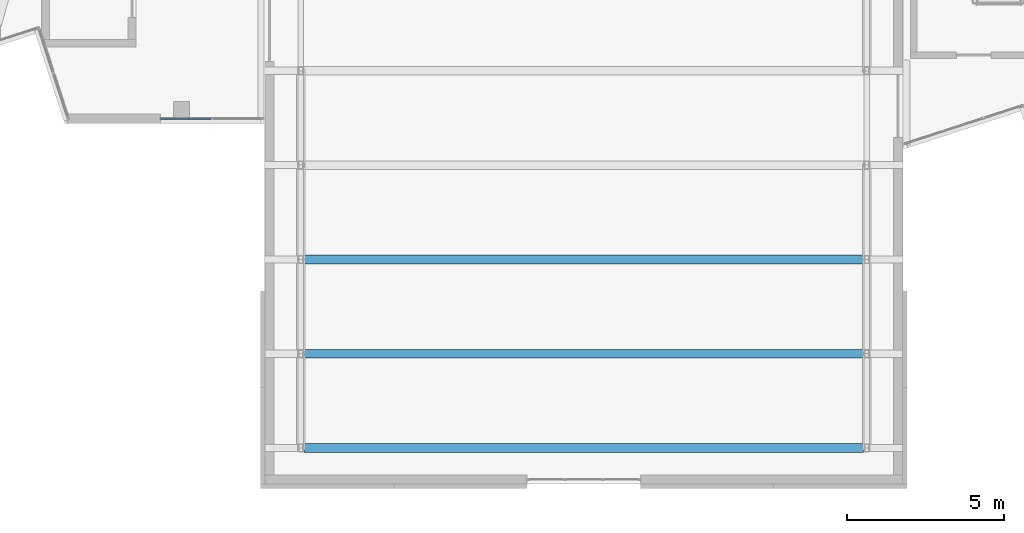
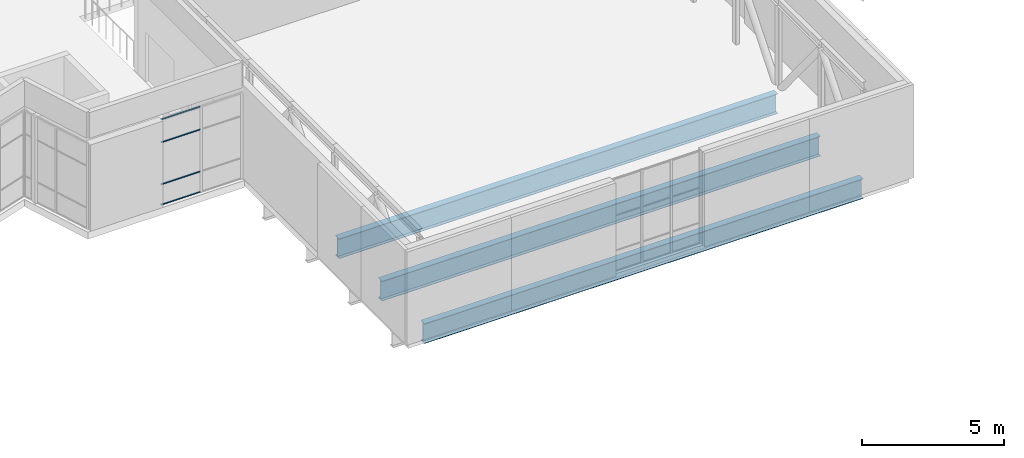
# One storey, part 11 of 72: 4 members, 3 beams, 1 element without a shape of its own.
"""IFC4 building model written with IfcOpenShell, lengths in metres."""

import ifcopenshell
import ifcopenshell.guid

model = None  # the IFC model being written
_history = None  # IfcOwnerHistory: only IFC2X3 demands one
_inside = {}  # id of a spatial element -> (the spatial element, [elements in it])
_under = {}  # id of a project, library or spatial element -> (it, [spatial elements below it])
_declared = {}  # id of a project -> (the project, [libraries it declares])
_typed = {}  # id of a type object -> (the type object, [elements of that type])
_made_of = {}  # id of a material, layer set ... -> (it, [elements and type objects made of it])


def new_model(schema):
    """Start an empty IFC model of exactly this schema.

    Asked for "IFC4X3", IfcOpenShell would pick the latest addendum, in which some entities
    have other attributes; the version numbers below select the first issue.
    IFC2X3 requires an IfcOwnerHistory on every rooted entity: one is made here for all.
    """
    global model, _history
    if schema == "IFC4X3":
        model = ifcopenshell.file(schema_version=(4, 3, 0, 0))
    else:
        model = ifcopenshell.file(schema=schema)
    _inside.clear()
    _under.clear()
    _declared.clear()
    _typed.clear()
    _made_of.clear()
    _history = None
    if model.schema == "IFC2X3":
        org = make("IfcOrganization", Name="unknown")
        user = make(
            "IfcPersonAndOrganization",
            ThePerson=make("IfcPerson", FamilyName="unknown"),
            TheOrganization=org,
        )
        app = make(
            "IfcApplication",
            ApplicationDeveloper=org,
            Version="unknown",
            ApplicationFullName="unknown",
            ApplicationIdentifier="unknown",
        )
        _history = make(
            "IfcOwnerHistory",
            OwningUser=user,
            OwningApplication=app,
            ChangeAction="ADDED",
            CreationDate=0,
        )
    return model


def make(cls, **values):
    """One entity of the class cls with the attributes given. An attribute that is None is left unset."""
    return model.create_entity(
        cls, **{name: value for name, value in values.items() if value is not None}
    )


def rooted(cls, **values):
    """An entity with a GlobalId (a new one), such as an element, a storey or a relation."""
    return make(cls, GlobalId=ifcopenshell.guid.new(), OwnerHistory=_history, **values)


def si_unit(unit_type, name, prefix=None):
    """IfcSIUnit, for example si_unit("LENGTHUNIT", "METRE", prefix="MILLI")."""
    return make("IfcSIUnit", UnitType=unit_type, Prefix=prefix, Name=name)


def assignment(units):
    """IfcUnitAssignment: the units of a project."""
    return None if units is None else make("IfcUnitAssignment", Units=units)


def point(xyz):
    """IfcCartesianPoint."""
    return None if xyz is None else make("IfcCartesianPoint", Coordinates=xyz)


def direction(xyz):
    """IfcDirection."""
    return None if xyz is None else make("IfcDirection", DirectionRatios=xyz)


def frame(location, z_axis=None, x_axis=None):
    """IfcAxis2Placement3D, a coordinate frame: its origin and axes. An axis left out is left unset."""
    return make(
        "IfcAxis2Placement3D",
        Location=point(location),
        Axis=direction(z_axis),
        RefDirection=direction(x_axis),
    )


def frame_2d(location, x_axis=None):
    """IfcAxis2Placement2D, a coordinate frame in the plane: its origin and x axis."""
    return make(
        "IfcAxis2Placement2D", Location=point(location), RefDirection=direction(x_axis)
    )


def origin():
    """The frame at (0, 0, 0) with its axes left unset."""
    return frame((0.0, 0.0, 0.0))


def origin_2d():
    """The frame at (0, 0) in the plane with its x axis left unset."""
    return frame_2d((0.0, 0.0))


def place(relative_to, where):
    """IfcLocalPlacement: puts the frame where relative to a parent placement (None: the world)."""
    return make(
        "IfcLocalPlacement", PlacementRelTo=relative_to, RelativePlacement=where
    )


def context(
    kind, dimensions, precision=None, world=None, true_north=None, identifier=None
):
    """IfcGeometricRepresentationContext, for example the 3D "Model" context."""
    return make(
        "IfcGeometricRepresentationContext",
        ContextIdentifier=identifier,
        ContextType=kind,
        CoordinateSpaceDimension=dimensions,
        Precision=precision,
        WorldCoordinateSystem=world,
        TrueNorth=true_north,
    )


def subcontext(parent, identifier, kind, view, scale=None):
    """IfcGeometricRepresentationSubContext, for example "Body" below "Model"."""
    return make(
        "IfcGeometricRepresentationSubContext",
        ContextIdentifier=identifier,
        ContextType=kind,
        ParentContext=parent,
        TargetScale=scale,
        TargetView=view,
    )


def project(units=None, contexts=None):
    """IfcProject with its units and contexts."""
    return rooted(
        "IfcProject",
        Name="project",
        RepresentationContexts=contexts,
        UnitsInContext=assignment(units),
    )


def spatial(cls, under=None, at=None, **own):
    """A site, building, storey or space (cls), placed at a placement, below another one or the project."""
    s = rooted(cls, ObjectPlacement=at, **own)
    if under is not None:
        _under.setdefault(under.id(), (under, []))[1].append(s)
    return s


def profile(cls, at=None, kind="AREA", **sizes):
    """A parametric profile (cls). Its sizes go by their IFC names, for example OverallWidth=200.0."""
    return make(cls, ProfileType=kind, Position=at, **sizes)


def hollow_rectangle(**sizes):
    """IfcRectangleHollowProfileDef."""
    return profile("IfcRectangleHollowProfileDef", **sizes)


def i_section(**sizes):
    """IfcIShapeProfileDef."""
    return profile("IfcIShapeProfileDef", **sizes)


def extrude(swept, where, along, depth):
    """IfcExtrudedAreaSolid: the profile swept, set in the frame where, extruded along a direction by depth."""
    return make(
        "IfcExtrudedAreaSolid",
        SweptArea=swept,
        Position=where,
        ExtrudedDirection=direction(along),
        Depth=depth,
    )


def shape(context_of_items, identifier, shape_type, items):
    """IfcShapeRepresentation: the items that make up one representation, for example the "Body"."""
    return make(
        "IfcShapeRepresentation",
        ContextOfItems=context_of_items,
        RepresentationIdentifier=identifier,
        RepresentationType=shape_type,
        Items=items,
    )


def material(Name=None, Category=None):
    """IfcMaterial."""
    return make("IfcMaterial", Name=Name, Category=Category)


def layer(
    of_material, thickness, ventilated=None, Name=None, Category=None, Priority=None
):
    """IfcMaterialLayer: one layer of a wall or slab, of a material (None: an air gap)."""
    return make(
        "IfcMaterialLayer",
        Material=of_material,
        LayerThickness=thickness,
        IsVentilated=ventilated,
        Name=Name,
        Category=Category,
        Priority=Priority,
    )


def layer_set(layers, Name=None):
    """IfcMaterialLayerSet."""
    return make("IfcMaterialLayerSet", MaterialLayers=layers, LayerSetName=Name)


def material_profile(
    of_material, cross_section, Name=None, Category=None, Priority=None
):
    """IfcMaterialProfile: a cross section and its material."""
    return make(
        "IfcMaterialProfile",
        Name=Name,
        Material=of_material,
        Profile=cross_section,
        Priority=Priority,
        Category=Category,
    )


def profile_set(profiles, Name=None, composite=None):
    """IfcMaterialProfileSet."""
    return make(
        "IfcMaterialProfileSet",
        Name=Name,
        MaterialProfiles=profiles,
        CompositeProfile=composite,
    )


def made_of(thing, what):
    """Note that an element or type object is made of a material, layer set ...; save() writes the relation."""
    if what is not None:
        _made_of.setdefault(what.id(), (what, []))[1].append(thing)
    return thing


def type_object(cls, material=None, **own):
    """A type object (cls), such as IfcWallType, which elements share."""
    return made_of(rooted(cls, **own), material)


def element(
    cls,
    number,
    at=None,
    inside=None,
    cuts=None,
    type_object=None,
    material=None,
    context=None,
    identifier="Body",
    shape_type=None,
    held_by="IfcProductDefinitionShape",
    body=None,
    shapes=None,
    **own,
):
    """One element of the class cls, such as IfcWall. Its Tag is "e" and its number.

    at: its placement. inside: the storey or other place that contains it. cuts: it is an
    opening in that element (IfcRelVoidsElement). A single representation is given by context,
    identifier, shape_type and body (its items); several are given by shapes. held_by: the class
    of the entity that holds the representations. save() writes the other relations.
    """
    e = rooted(cls, Tag="e%d" % number, ObjectPlacement=at, **own)
    if body is not None:
        shapes = [shape(context, identifier, shape_type, body)]
    if shapes is not None:
        e.Representation = make(held_by, Representations=shapes)
    if inside is not None:
        _inside.setdefault(inside.id(), (inside, []))[1].append(e)
    if cuts is not None:
        rooted(
            "IfcRelVoidsElement", RelatingBuildingElement=cuts, RelatedOpeningElement=e
        )
    if type_object is not None:
        _typed.setdefault(type_object.id(), (type_object, []))[1].append(e)
    return made_of(e, material)


def aggregate(whole, parts):
    """IfcRelAggregates: a whole, such as a stair, and the parts it consists of."""
    return rooted("IfcRelAggregates", RelatingObject=whole, RelatedObjects=parts)


def save(model, path):
    """Write the relations noted so far, then the file.

    IfcRelAggregates (storeys below a building ...), IfcRelContainedInSpatialStructure (elements
    in a storey), IfcRelDefinesByType, IfcRelAssociatesMaterial and IfcRelDeclares: one each for
    every whole, place, type object, material and project.
    """
    for whole, parts in _under.values():
        aggregate(whole, parts)
    for where, things in _inside.values():
        rooted(
            "IfcRelContainedInSpatialStructure",
            RelatedElements=things,
            RelatingStructure=where,
        )
    for kind, things in _typed.values():
        rooted("IfcRelDefinesByType", RelatedObjects=things, RelatingType=kind)
    for what, things in _made_of.values():
        rooted("IfcRelAssociatesMaterial", RelatedObjects=things, RelatingMaterial=what)
    for by, libraries in _declared.values():
        rooted("IfcRelDeclares", RelatingContext=by, RelatedDefinitions=libraries)
    model.write(path)


model = new_model("IFC4")

# Units and contexts
model_context = context("Model", 3, precision=1e-05, world=origin(), true_north=direction((0.0, 1.0)))
body_context = subcontext(model_context, "Body", "Model", "MODEL_VIEW")
ifc_project = project(units=[si_unit("LENGTHUNIT", "METRE"), si_unit("AREAUNIT", "SQUARE_METRE"), si_unit("VOLUMEUNIT", "CUBIC_METRE"), si_unit("PLANEANGLEUNIT", "RADIAN"), si_unit("MASSUNIT", "GRAM", prefix="KILO")], contexts=[model_context])

# Site, building, storey
site_placement = place(None, origin())
site = spatial("IfcSite", under=ifc_project, at=site_placement, CompositionType="ELEMENT")
building_placement = place(site_placement, origin())
building = spatial("IfcBuilding", under=site, at=building_placement, Name="Tuart Plaza Theatre", CompositionType="ELEMENT")
storey_placement = place(building_placement, frame((0.0, 0.0, 13.5)))
storey = spatial("IfcBuildingStorey", under=building, at=storey_placement, Name="L03", CompositionType="ELEMENT", Elevation=13.5)

# Beams
ifc_material_1 = material(Name="Steel Grade 300", Category="steel")
ifc_material_profile_1 = material_profile(ifc_material_1, i_section(OverallWidth=0.27490234375, OverallDepth=0.85009765625, WebThickness=0.010009765625, FlangeThickness=0.01611328125, at=origin_2d()), Name="850WB146")
ifc_profile_set_1 = profile_set([ifc_material_profile_1], Name="Steel Grade 300")
beam_type = type_object("IfcBeamType", Name="BEAM 850WB146 FLOOR CLEAR SPAN", PredefinedType="BEAM", material=ifc_profile_set_1)
for number, where, z_axis, x_axis, name in (
    (1, (87.1044921875, 32.0, -0.675048828125), (1.0, 0.0, 0.0), (0.0, 1.0, 0.0), "SB101"),
    (2, (87.1044921875, 35.0, -0.675048828125), (1.0, 0.0, 0.0), (0.0, 1.0, 0.0), "SB104"),
    (3, (87.1044921875, 38.0, -0.675048828125), (1.0, 0.0, 0.0), (0.0, 1.0, 0.0), "SB107"),
):
    element("IfcBeam", number, at=place(storey_placement, frame(where, z_axis=z_axis, x_axis=x_axis)), inside=storey, type_object=beam_type, Name=name, PredefinedType="BEAM", context=body_context, shape_type="SweptSolid", body=[
        extrude(i_section(OverallWidth=0.27490234375, OverallDepth=0.85009765625, WebThickness=0.010009765625, FlangeThickness=0.01611328125, at=origin_2d()), origin(), (0.0, 0.0, 1.0), 17.791015625),
    ])

# Curtain wall, members
ifc_material_2 = material(Name="Aluminium and glass", Category="aluminium")
ifc_layer = layer(ifc_material_2, 0.10009765625)
ifc_layer_set = layer_set([ifc_layer], Name="CURTAIN WALL 1500 module")
curtain_wall_type = type_object("IfcCurtainWallType", Name="CURTAIN WALL 1500 module", PredefinedType="NOTDEFINED", material=ifc_layer_set)
curtain_wall_placement = place(storey_placement, origin())
curtain_wall = element("IfcCurtainWall", 4, at=curtain_wall_placement, inside=storey, type_object=curtain_wall_type, Name="CW39", PredefinedType="NOTDEFINED")
ifc_material_3 = material(Name="Aluminium 6063-T5", Category="aluminium")
ifc_material_profile_2 = material_profile(ifc_material_3, hollow_rectangle(XDim=0.050048828125, YDim=0.050048828125, WallThickness=0.00390625, InnerFilletRadius=0.00390625, OuterFilletRadius=0.008056640625, at=origin_2d()), Name="RHS 50x50x4")
ifc_profile_set_2 = profile_set([ifc_material_profile_2], Name="Aluminium 6063-T5")
member_type = type_object("IfcMemberType", Name="TRANSOM RHS 50x50x4", PredefinedType="USERDEFINED", material=ifc_profile_set_2)
member_1_placement = place(storey_placement, frame((82.537109375, 42.47802734375, 0.02490234375), z_axis=(1.0, 0.0, 0.0), x_axis=(0.0, 1.0, 0.0)))
member_1 = element("IfcMember", 5, at=member_1_placement, type_object=member_type, Name="CW39 transom 1.1", ObjectType="TRANSOM", PredefinedType="USERDEFINED", context=body_context, shape_type="SweptSolid", body=[
    extrude(hollow_rectangle(XDim=0.050048828125, YDim=0.050048828125, WallThickness=0.00390625, InnerFilletRadius=0.00390625, OuterFilletRadius=0.008056640625, at=origin_2d()), origin(), (0.0, 0.0, 1.0), 1.596435546875),
])
member_2_placement = place(storey_placement, frame((82.537109375, 42.47802734375, 0.89990234375), z_axis=(1.0, 0.0, 0.0), x_axis=(0.0, 1.0, 0.0)))
member_2 = element("IfcMember", 6, at=member_2_placement, type_object=member_type, Name="CW39 transom 1.2", ObjectType="TRANSOM", PredefinedType="USERDEFINED", context=body_context, shape_type="SweptSolid", body=[
    extrude(hollow_rectangle(XDim=0.050048828125, YDim=0.050048828125, WallThickness=0.00390625, InnerFilletRadius=0.00390625, OuterFilletRadius=0.008056640625, at=origin_2d()), origin(), (0.0, 0.0, 1.0), 1.596435546875),
])
member_3_placement = place(storey_placement, frame((82.537109375, 42.47802734375, 2.699951171875), z_axis=(1.0, 0.0, 0.0), x_axis=(0.0, 1.0, 0.0)))
member_3 = element("IfcMember", 7, at=member_3_placement, type_object=member_type, Name="CW39 transom 1.3", ObjectType="TRANSOM", PredefinedType="USERDEFINED", context=body_context, shape_type="SweptSolid", body=[
    extrude(hollow_rectangle(XDim=0.050048828125, YDim=0.050048828125, WallThickness=0.00390625, InnerFilletRadius=0.00390625, OuterFilletRadius=0.008056640625, at=origin_2d()), origin(), (0.0, 0.0, 1.0), 1.596435546875),
])
member_4_placement = place(storey_placement, frame((82.537109375, 42.47802734375, 3.675048828125), z_axis=(1.0, 0.0, 0.0), x_axis=(0.0, 1.0, 0.0)))
member_4 = element("IfcMember", 8, at=member_4_placement, type_object=member_type, Name="CW39 transom 1.4", ObjectType="TRANSOM", PredefinedType="USERDEFINED", context=body_context, shape_type="SweptSolid", body=[
    extrude(hollow_rectangle(XDim=0.050048828125, YDim=0.050048828125, WallThickness=0.00390625, InnerFilletRadius=0.00390625, OuterFilletRadius=0.008056640625, at=origin_2d()), origin(), (0.0, 0.0, 1.0), 1.596435546875),
])
aggregate(curtain_wall, [member_1, member_2, member_3, member_4])

save(model, "model.ifc")
